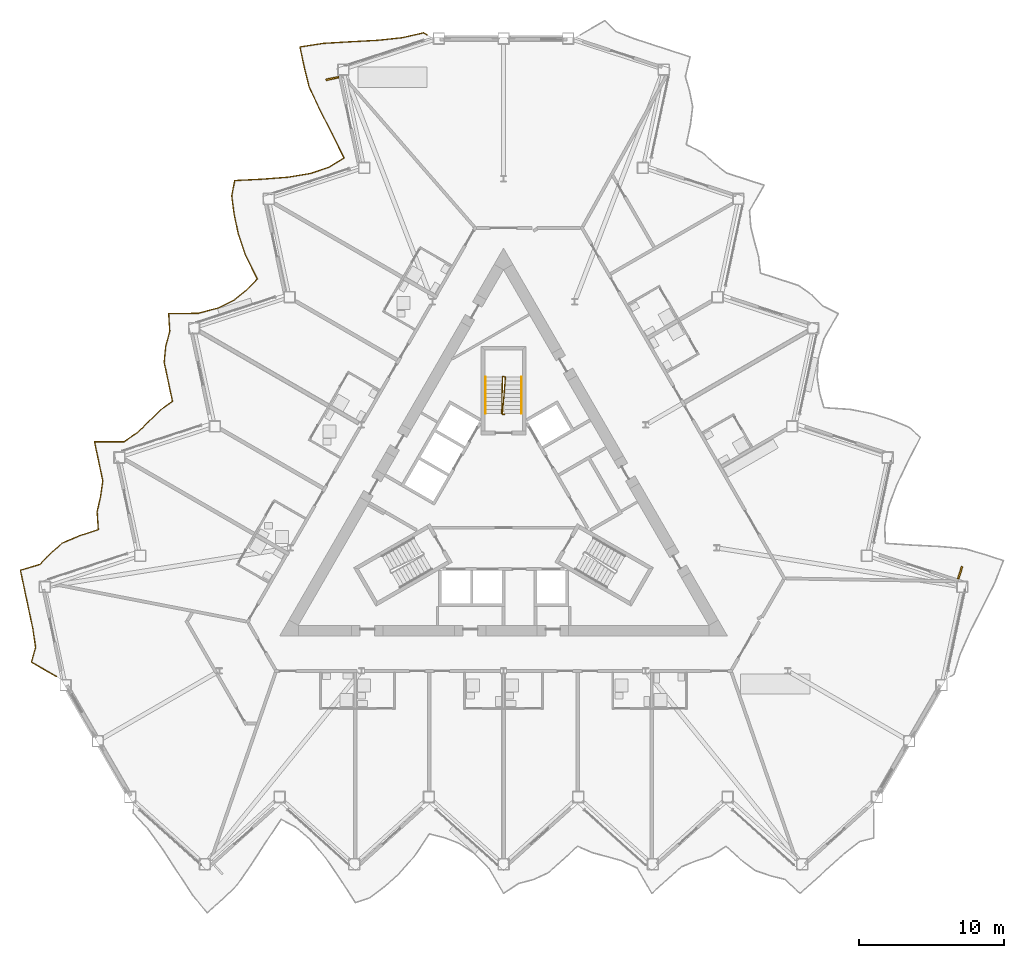
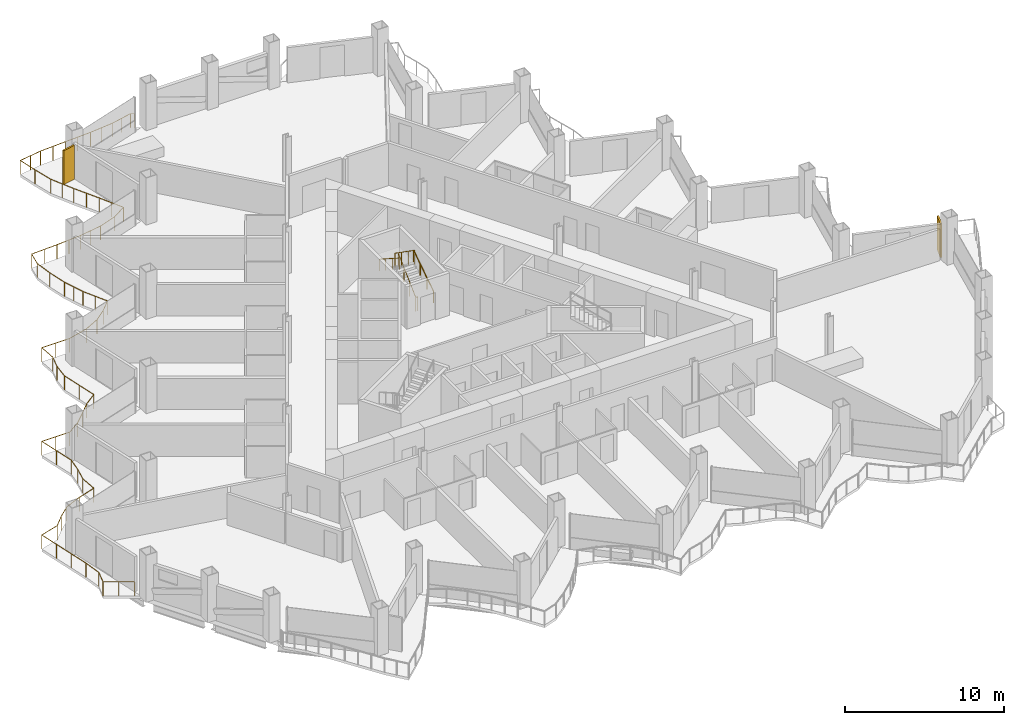
# One storey, part 20 of 23: 4 railings, 2 shading devices.
"""IFC4 building model written with IfcOpenShell, lengths in metres."""

from ifc_helpers import new_model, si_unit, direction, frame, origin, origin_2d, place, context, subcontext, project, spatial, rectangle, circle, extrude, material, layer, layer_set, type_object, element, save


model = new_model("IFC4")

# Units and contexts
model_context = context("Model", 3, precision=1e-05, world=origin(), true_north=direction((0.0, 1.0)))
body_context = subcontext(model_context, "Body", "Model", "MODEL_VIEW")
ifc_project = project(units=[si_unit("LENGTHUNIT", "METRE"), si_unit("AREAUNIT", "SQUARE_METRE"), si_unit("VOLUMEUNIT", "CUBIC_METRE"), si_unit("PLANEANGLEUNIT", "RADIAN"), si_unit("MASSUNIT", "GRAM", prefix="KILO")], contexts=[model_context])

# Site, building, storey
site_placement = place(None, origin())
site = spatial("IfcSite", under=ifc_project, at=site_placement, CompositionType="ELEMENT")
building_placement = place(site_placement, origin())
building = spatial("IfcBuilding", under=site, at=building_placement, Name="Cormorant Prow Tower", CompositionType="ELEMENT")
storey_placement = place(building_placement, frame((0.0, 0.0, 180.0)))
storey = spatial("IfcBuildingStorey", under=building, at=storey_placement, Name="L38", CompositionType="ELEMENT", Elevation=180.0)

# Railings
ifc_material_1 = material(Name="Aluminium 6063-T6", Category="aluminium")
railing_type_1 = type_object("IfcRailingType", Name="Balcony guard 1100", PredefinedType="GUARDRAIL", material=ifc_material_1)
railing_1_placement = place(storey_placement, frame((-5.30078125, 32.661865234375, 0.0)))
element("IfcRailing", 1, at=railing_1_placement, inside=storey, type_object=railing_type_1, Name="Balcony guard WNW", PredefinedType="GUARDRAIL", context=body_context, shape_type="SweptSolid", body=[
    extrude(circle(Radius=0.02392578125, at=origin_2d()), frame((0.0, 0.0, 1.076171875), z_axis=(-0.866065156741, 0.499931139538, 0.0), x_axis=(-0.499931139538, -0.866065156741, 0.0)), (0.0, 0.0, 1.0), 0.27001953125),
    extrude(circle(Radius=0.02392578125, at=origin_2d()), frame((-0.23388671875, 0.135009765625, 1.076171875), z_axis=(-0.974644719634, -0.223758062401, 0.0), x_axis=(0.223758062401, -0.974644719634, 0.0)), (0.0, 0.0, 1.0), 1.505615234375),
    extrude(circle(Radius=0.02392578125, at=origin_2d()), frame((-1.701416015625, -0.201904296875, 1.076171875), z_axis=(-0.994449269321, -0.105217159941, 0.0), x_axis=(0.105217159941, -0.994449269321, 0.0)), (0.0, 0.0, 1.0), 1.74267578125),
    extrude(circle(Radius=0.02392578125, at=origin_2d()), frame((-3.434326171875, -0.38525390625, 1.076171875), z_axis=(-0.99859695624, -0.052953932694, 0.0), x_axis=(0.052953932694, -0.99859695624, 0.0)), (0.0, 0.0, 1.0), 1.881103515625),
    extrude(circle(Radius=0.02392578125, at=origin_2d()), frame((-5.312744140625, -0.48486328125, 1.076171875), z_axis=(-0.998270307196, -0.058791102824, 0.0), x_axis=(0.058791102824, -0.998270307196, 0.0)), (0.0, 0.0, 1.0), 1.864501953125),
    extrude(circle(Radius=0.02392578125, at=origin_2d()), frame((-7.174072265625, -0.594482421875, 1.076171875), z_axis=(-0.98797780266, -0.154595800235, 0.0), x_axis=(0.154595800235, -0.98797780266, 0.0)), (0.0, 0.0, 1.0), 1.6328125),
    extrude(circle(Radius=0.02392578125, at=origin_2d()), frame((-8.787353515625, -0.846923828125, 1.076171875), z_axis=(0.207873566928, -0.97815570344, 0.0), x_axis=(0.97815570344, 0.207873566928, 0.0)), (0.0, 0.0, 1.0), 1.3798828125),
    extrude(circle(Radius=0.02392578125, at=origin_2d()), frame((-8.50048828125, -2.19677734375, 1.076171875), z_axis=(0.23657564466, -0.971613073375, 0.0), x_axis=(0.971613073375, 0.23657564466, 0.0)), (0.0, 0.0, 1.0), 1.41796875),
    extrude(circle(Radius=0.02392578125, at=origin_2d()), frame((-8.1650390625, -3.574462890625, 1.076171875), z_axis=(0.420257343477, -0.907404962106, 0.0), x_axis=(0.907404962106, 0.420257343477, 0.0)), (0.0, 0.0, 1.0), 1.78125),
    extrude(circle(Radius=0.02392578125, at=origin_2d()), frame((-7.41650390625, -5.190673828125, 1.076171875), z_axis=(0.456536814746, -0.889704522177, 0.0), x_axis=(0.889704522177, 0.456536814746, 0.0)), (0.0, 0.0, 1.0), 1.890869140625),
    extrude(circle(Radius=0.02392578125, at=origin_2d()), frame((-6.55322265625, -6.873046875, 1.076171875), z_axis=(0.440945101429, -0.897534075969, 0.0), x_axis=(0.897534075969, 0.440945101429, 0.0)), (0.0, 0.0, 1.0), 1.841552734375),
    extrude(circle(Radius=0.02392578125, at=origin_2d()), frame((-5.7412109375, -8.52587890625, 1.076171875), z_axis=(-0.849445527485, -0.527676317296, 0.0), x_axis=(0.527676317296, -0.849445527485, 0.0)), (0.0, 0.0, 1.0), 1.1630859375),
    extrude(circle(Radius=0.02392578125, at=origin_2d()), frame((-6.729248046875, -9.1396484375, 1.076171875), z_axis=(-0.945060911666, -0.326894284504, 0.0), x_axis=(0.326894284504, -0.945060911666, 0.0)), (0.0, 0.0, 1.0), 1.35693359375),
    extrude(circle(Radius=0.02392578125, at=origin_2d()), frame((-8.01171875, -9.583251953125, 1.076171875), z_axis=(-0.985922013231, -0.16720581278, 0.0), x_axis=(0.16720581278, -0.985922013231, 0.0)), (0.0, 0.0, 1.0), 1.607666015625),
    extrude(circle(Radius=0.02392578125, at=origin_2d()), frame((-9.5966796875, -9.85205078125, 1.076171875), z_axis=(-0.997045774989, -0.076809651581, 0.0), x_axis=(0.076809651581, -0.997045774989, 0.0)), (0.0, 0.0, 1.0), 1.81494140625),
    extrude(circle(Radius=0.02392578125, at=origin_2d()), frame((-11.40625, -9.991455078125, 1.076171875), z_axis=(-0.998824863504, -0.048465369554, 0.0), x_axis=(0.048465369554, -0.998824863504, 0.0)), (0.0, 0.0, 1.0), 1.89404296875),
    extrude(circle(Radius=0.02392578125, at=origin_2d()), frame((-13.298095703125, -10.083251953125, 1.076171875), z_axis=(-0.19234641595, -0.981327089339, 0.0), x_axis=(0.981327089339, -0.19234641595, 0.0)), (0.0, 0.0, 1.0), 1.083984375),
    extrude(circle(Radius=0.02392578125, at=origin_2d()), frame((-13.506591796875, -11.14697265625, 1.076171875), z_axis=(0.12845755255, -0.991715008051, 0.0), x_axis=(0.991715008051, 0.12845755255, 0.0)), (0.0, 0.0, 1.0), 1.29052734375),
    extrude(circle(Radius=0.02392578125, at=origin_2d()), frame((-13.3408203125, -12.4267578125, 1.076171875), z_axis=(0.208078831639, -0.97811205893, 0.0), x_axis=(0.97811205893, 0.208078831639, 0.0)), (0.0, 0.0, 1.0), 1.3798828125),
    extrude(circle(Radius=0.02392578125, at=origin_2d()), frame((-13.0537109375, -13.7763671875, 1.076171875), z_axis=(0.320795668286, -0.947148425121, 0.0), x_axis=(0.947148425121, 0.320795668286, 0.0)), (0.0, 0.0, 1.0), 1.553955078125),
    extrude(circle(Radius=0.02392578125, at=origin_2d()), frame((-12.55517578125, -15.248291015625, 1.076171875), z_axis=(0.44142979612, -0.897295790193, 0.0), x_axis=(0.897295790193, 0.44142979612, 0.0)), (0.0, 0.0, 1.0), 1.84326171875),
    extrude(circle(Radius=0.02392578125, at=origin_2d()), frame((-11.741455078125, -16.90234375, 1.076171875), z_axis=(-0.696524325423, -0.717533179786, 0.0), x_axis=(0.717533179786, -0.696524325423, 0.0)), (0.0, 0.0, 1.0), 1.0576171875),
    extrude(circle(Radius=0.02392578125, at=origin_2d()), frame((-12.47802734375, -17.6611328125, 1.076171875), z_axis=(-0.776576356837, -0.630023144021, 0.0), x_axis=(0.630023144021, -0.776576356837, 0.0)), (0.0, 0.0, 1.0), 1.097900390625),
    extrude(circle(Radius=0.02392578125, at=origin_2d()), frame((-13.33056640625, -18.352783203125, 1.076171875), z_axis=(-0.89486357373, -0.446339763422, 0.0), x_axis=(0.446339763422, -0.89486357373, 0.0)), (0.0, 0.0, 1.0), 1.229736328125),
    extrude(circle(Radius=0.02392578125, at=origin_2d()), frame((-14.430908203125, -18.901611328125, 1.076171875), z_axis=(-0.967091903603, -0.254427298036, 0.0), x_axis=(0.254427298036, -0.967091903603, 0.0)), (0.0, 0.0, 1.0), 1.45654296875),
    extrude(circle(Radius=0.02392578125, at=origin_2d()), frame((-15.839599609375, -19.272216796875, 1.076171875), z_axis=(-0.999986664005, -0.005164475925, 0.0), x_axis=(0.005164475925, -0.999986664005, 0.0)), (0.0, 0.0, 1.0), 2.03271484375),
    extrude(circle(Radius=0.02392578125, at=origin_2d()), frame((-17.872314453125, -19.28271484375, 1.076171875), z_axis=(0.064560408619, -0.997913800706, 0.0), x_axis=(0.997913800706, 0.064560408619, 0.0)), (0.0, 0.0, 1.0), 1.23291015625),
    extrude(circle(Radius=0.02392578125, at=origin_2d()), frame((-17.792724609375, -20.512939453125, 1.076171875), z_axis=(-0.262201785717, -0.965013069117, 0.0), x_axis=(0.965013069117, -0.262201785717, 0.0)), (0.0, 0.0, 1.0), 1.060546875),
    extrude(circle(Radius=0.02392578125, at=origin_2d()), frame((-18.07080078125, -21.536376953125, 1.076171875), z_axis=(-0.097786178381, -0.995207447379, 0.0), x_axis=(0.995207447379, -0.097786178381, 0.0)), (0.0, 0.0, 1.0), 1.1259765625),
    extrude(circle(Radius=0.02392578125, at=origin_2d()), frame((-18.180908203125, -22.656982421875, 1.076171875), z_axis=(0.207909545351, -0.978148056764, 0.0), x_axis=(0.978148056764, 0.207909545351, 0.0)), (0.0, 0.0, 1.0), 1.379638671875),
    extrude(circle(Radius=0.02392578125, at=origin_2d()), frame((-17.89404296875, -24.006591796875, 1.076171875), z_axis=(0.207909545351, -0.978148056764, 0.0), x_axis=(0.978148056764, 0.207909545351, 0.0)), (0.0, 0.0, 1.0), 1.379638671875),
    extrude(circle(Radius=0.02392578125, at=origin_2d()), frame((-17.607177734375, -25.356201171875, 1.076171875), z_axis=(-0.80659197974, -0.591108601036, 0.0), x_axis=(0.591108601036, -0.80659197974, 0.0)), (0.0, 0.0, 1.0), 1.12060546875),
    extrude(circle(Radius=0.02392578125, at=origin_2d()), frame((-18.510986328125, -26.0185546875, 1.076171875), z_axis=(-0.703411981113, -0.710782375152, 0.0), x_axis=(0.710782375152, -0.703411981113, 0.0)), (0.0, 0.0, 1.0), 1.06005859375),
    extrude(circle(Radius=0.02392578125, at=origin_2d()), frame((-19.256591796875, -26.77197265625, 1.076171875), z_axis=(-0.71733824833, -0.696725080274, 0.0), x_axis=(0.696725080274, -0.71733824833, 0.0)), (0.0, 0.0, 1.0), 1.06591796875),
    extrude(circle(Radius=0.02392578125, at=origin_2d()), frame((-20.021240234375, -27.5146484375, 1.076171875), z_axis=(-0.826195568919, -0.563383423521, 0.0), x_axis=(0.563383423521, -0.826195568919, 0.0)), (0.0, 0.0, 1.0), 1.137939453125),
    extrude(circle(Radius=0.02392578125, at=origin_2d()), frame((-20.96142578125, -28.15576171875, 1.076171875), z_axis=(-0.999993542812, -0.003593651927, 0.0), x_axis=(0.003593651927, -0.999993542812, 0.0)), (0.0, 0.0, 1.0), 2.0380859375),
    extrude(circle(Radius=0.02392578125, at=origin_2d()), frame((-22.99951171875, -28.1630859375, 1.076171875), z_axis=(0.207873566928, -0.97815570344, 0.0), x_axis=(0.97815570344, 0.207873566928, 0.0)), (0.0, 0.0, 1.0), 1.3798828125),
    extrude(circle(Radius=0.02392578125, at=origin_2d()), frame((-22.712646484375, -29.512939453125, 1.076171875), z_axis=(0.207909545351, -0.978148056764, 0.0), x_axis=(0.978148056764, 0.207909545351, 0.0)), (0.0, 0.0, 1.0), 1.379638671875),
    extrude(circle(Radius=0.02392578125, at=origin_2d()), frame((-22.42578125, -30.862548828125, 1.076171875), z_axis=(-0.141637897533, -0.989918535023, 0.0), x_axis=(0.989918535023, -0.141637897533, 0.0)), (0.0, 0.0, 1.0), 1.10498046875),
    extrude(circle(Radius=0.02392578125, at=origin_2d()), frame((-22.582275390625, -31.956298828125, 1.076171875), z_axis=(-0.220805245859, -0.975317919143, 0.0), x_axis=(0.975317919143, -0.220805245859, 0.0)), (0.0, 0.0, 1.0), 1.07373046875),
    extrude(circle(Radius=0.02392578125, at=origin_2d()), frame((-22.8193359375, -33.00341796875, 1.076171875), z_axis=(0.068734306145, -0.997635000969, 0.0), x_axis=(0.997635000969, 0.068734306145, 0.0)), (0.0, 0.0, 1.0), 1.236083984375),
    extrude(circle(Radius=0.02392578125, at=origin_2d()), frame((-22.734375, -34.236572265625, 1.076171875), z_axis=(-0.951027567221, -0.309106076267, 0.0), x_axis=(0.309106076267, -0.951027567221, 0.0)), (0.0, 0.0, 1.0), 1.3798828125),
    extrude(circle(Radius=0.02392578125, at=origin_2d()), frame((-24.046630859375, -34.6630859375, 1.076171875), z_axis=(-0.920623197866, -0.390452209048, 0.0), x_axis=(0.390452209048, -0.920623197866, 0.0)), (0.0, 0.0, 1.0), 1.284423828125),
    extrude(circle(Radius=0.02392578125, at=origin_2d()), frame((-25.22900390625, -35.16455078125, 1.076171875), z_axis=(-0.751192006411, -0.660083759461, 0.0), x_axis=(0.660083759461, -0.751192006411, 0.0)), (0.0, 0.0, 1.0), 1.08251953125),
    extrude(circle(Radius=0.02392578125, at=origin_2d()), frame((-26.042236328125, -35.879150390625, 1.076171875), z_axis=(-0.693690548445, -0.720273158599, 0.0), x_axis=(0.720273158599, -0.693690548445, 0.0)), (0.0, 0.0, 1.0), 1.05615234375),
    extrude(circle(Radius=0.02392578125, at=origin_2d()), frame((-26.77490234375, -36.639892578125, 1.076171875), z_axis=(-0.958163778931, -0.286220496722, 0.0), x_axis=(0.286220496722, -0.958163778931, 0.0)), (0.0, 0.0, 1.0), 1.410888671875),
    extrude(circle(Radius=0.02392578125, at=origin_2d()), frame((-28.126708984375, -37.043701171875, 1.076171875), z_axis=(0.207909545351, -0.978148056764, 0.0), x_axis=(0.978148056764, 0.207909545351, 0.0)), (0.0, 0.0, 1.0), 1.379638671875),
    extrude(circle(Radius=0.02392578125, at=origin_2d()), frame((-27.83984375, -38.393310546875, 1.076171875), z_axis=(0.207909545351, -0.978148056764, 0.0), x_axis=(0.978148056764, 0.207909545351, 0.0)), (0.0, 0.0, 1.0), 1.379638671875),
    extrude(circle(Radius=0.02392578125, at=origin_2d()), frame((-27.552978515625, -39.742919921875, 1.076171875), z_axis=(0.207873566928, -0.97815570344, 0.0), x_axis=(0.97815570344, 0.207873566928, 0.0)), (0.0, 0.0, 1.0), 1.3798828125),
    extrude(circle(Radius=0.02392578125, at=origin_2d()), frame((-27.26611328125, -41.0927734375, 1.076171875), z_axis=(0.146278178224, -0.9892434961, 0.0), x_axis=(0.9892434961, 0.146278178224, 0.0)), (0.0, 0.0, 1.0), 1.30859375),
    extrude(circle(Radius=0.02392578125, at=origin_2d()), frame((-27.07470703125, -42.38720703125, 1.076171875), z_axis=(-0.272830477593, -0.962062124032, 0.0), x_axis=(0.962062124032, -0.272830477593, 0.0)), (0.0, 0.0, 1.0), 1.0576171875),
    extrude(circle(Radius=0.02392578125, at=origin_2d()), frame((-27.36328125, -43.40478515625, 1.076171875), z_axis=(0.866042919053, -0.499969661438, 0.0), x_axis=(0.499969661438, 0.866042919053, 0.0)), (0.0, 0.0, 1.0), 1.99462890625),
    extrude(circle(Radius=0.02099609375, at=origin_2d()), origin(), (0.0, 0.0, 1.0), 1.052001953125),
    extrude(circle(Radius=0.02099609375, at=origin_2d()), frame((-0.23388671875, 0.135009765625, 0.0)), (0.0, 0.0, 1.0), 1.052001953125),
    extrude(circle(Radius=0.02099609375, at=origin_2d()), frame((-0.9677734375, -0.033447265625, 0.0)), (0.0, 0.0, 1.0), 1.052001953125),
    extrude(circle(Radius=0.02099609375, at=origin_2d()), frame((-1.701416015625, -0.201904296875, 0.0)), (0.0, 0.0, 1.0), 1.052001953125),
    extrude(circle(Radius=0.02099609375, at=origin_2d()), frame((-2.56787109375, -0.29345703125, 0.0)), (0.0, 0.0, 1.0), 1.052001953125),
    extrude(circle(Radius=0.02099609375, at=origin_2d()), frame((-3.434326171875, -0.38525390625, 0.0)), (0.0, 0.0, 1.0), 1.052001953125),
    extrude(circle(Radius=0.02099609375, at=origin_2d()), frame((-4.37353515625, -0.43505859375, 0.0)), (0.0, 0.0, 1.0), 1.052001953125),
    extrude(circle(Radius=0.02099609375, at=origin_2d()), frame((-5.312744140625, -0.48486328125, 0.0)), (0.0, 0.0, 1.0), 1.052001953125),
    extrude(circle(Radius=0.02099609375, at=origin_2d()), frame((-6.243408203125, -0.53955078125, 0.0)), (0.0, 0.0, 1.0), 1.052001953125),
    extrude(circle(Radius=0.02099609375, at=origin_2d()), frame((-7.174072265625, -0.594482421875, 0.0)), (0.0, 0.0, 1.0), 1.052001953125),
    extrude(circle(Radius=0.02099609375, at=origin_2d()), frame((-7.980712890625, -0.720703125, 0.0)), (0.0, 0.0, 1.0), 1.052001953125),
    extrude(circle(Radius=0.02099609375, at=origin_2d()), frame((-8.787353515625, -0.846923828125, 0.0)), (0.0, 0.0, 1.0), 1.052001953125),
    extrude(circle(Radius=0.02099609375, at=origin_2d()), frame((-8.50048828125, -2.19677734375, 0.0)), (0.0, 0.0, 1.0), 1.052001953125),
    extrude(circle(Radius=0.02099609375, at=origin_2d()), frame((-8.1650390625, -3.574462890625, 0.0)), (0.0, 0.0, 1.0), 1.052001953125),
    extrude(circle(Radius=0.02099609375, at=origin_2d()), frame((-7.790771484375, -4.382568359375, 0.0)), (0.0, 0.0, 1.0), 1.052001953125),
    extrude(circle(Radius=0.02099609375, at=origin_2d()), frame((-7.41650390625, -5.190673828125, 0.0)), (0.0, 0.0, 1.0), 1.052001953125),
    extrude(circle(Radius=0.02099609375, at=origin_2d()), frame((-6.98486328125, -6.03173828125, 0.0)), (0.0, 0.0, 1.0), 1.052001953125),
    extrude(circle(Radius=0.02099609375, at=origin_2d()), frame((-6.55322265625, -6.873046875, 0.0)), (0.0, 0.0, 1.0), 1.052001953125),
    extrude(circle(Radius=0.02099609375, at=origin_2d()), frame((-6.147216796875, -7.699462890625, 0.0)), (0.0, 0.0, 1.0), 1.052001953125),
    extrude(circle(Radius=0.02099609375, at=origin_2d()), frame((-5.7412109375, -8.52587890625, 0.0)), (0.0, 0.0, 1.0), 1.052001953125),
    extrude(circle(Radius=0.02099609375, at=origin_2d()), frame((-6.729248046875, -9.1396484375, 0.0)), (0.0, 0.0, 1.0), 1.052001953125),
    extrude(circle(Radius=0.02099609375, at=origin_2d()), frame((-8.01171875, -9.583251953125, 0.0)), (0.0, 0.0, 1.0), 1.052001953125),
    extrude(circle(Radius=0.02099609375, at=origin_2d()), frame((-8.80419921875, -9.7177734375, 0.0)), (0.0, 0.0, 1.0), 1.052001953125),
    extrude(circle(Radius=0.02099609375, at=origin_2d()), frame((-9.5966796875, -9.85205078125, 0.0)), (0.0, 0.0, 1.0), 1.052001953125),
    extrude(circle(Radius=0.02099609375, at=origin_2d()), frame((-10.50146484375, -9.921875, 0.0)), (0.0, 0.0, 1.0), 1.052001953125),
    extrude(circle(Radius=0.02099609375, at=origin_2d()), frame((-11.40625, -9.991455078125, 0.0)), (0.0, 0.0, 1.0), 1.052001953125),
    extrude(circle(Radius=0.02099609375, at=origin_2d()), frame((-12.35205078125, -10.037353515625, 0.0)), (0.0, 0.0, 1.0), 1.052001953125),
    extrude(circle(Radius=0.02099609375, at=origin_2d()), frame((-13.298095703125, -10.083251953125, 0.0)), (0.0, 0.0, 1.0), 1.052001953125),
    extrude(circle(Radius=0.02099609375, at=origin_2d()), frame((-13.506591796875, -11.14697265625, 0.0)), (0.0, 0.0, 1.0), 1.052001953125),
    extrude(circle(Radius=0.02099609375, at=origin_2d()), frame((-13.3408203125, -12.4267578125, 0.0)), (0.0, 0.0, 1.0), 1.052001953125),
    extrude(circle(Radius=0.02099609375, at=origin_2d()), frame((-13.0537109375, -13.7763671875, 0.0)), (0.0, 0.0, 1.0), 1.052001953125),
    extrude(circle(Radius=0.02099609375, at=origin_2d()), frame((-12.804443359375, -14.51220703125, 0.0)), (0.0, 0.0, 1.0), 1.052001953125),
    extrude(circle(Radius=0.02099609375, at=origin_2d()), frame((-12.55517578125, -15.248291015625, 0.0)), (0.0, 0.0, 1.0), 1.052001953125),
    extrude(circle(Radius=0.02099609375, at=origin_2d()), frame((-12.1484375, -16.0751953125, 0.0)), (0.0, 0.0, 1.0), 1.052001953125),
    extrude(circle(Radius=0.02099609375, at=origin_2d()), frame((-11.741455078125, -16.90234375, 0.0)), (0.0, 0.0, 1.0), 1.052001953125),
    extrude(circle(Radius=0.02099609375, at=origin_2d()), frame((-12.47802734375, -17.6611328125, 0.0)), (0.0, 0.0, 1.0), 1.052001953125),
    extrude(circle(Radius=0.02099609375, at=origin_2d()), frame((-13.33056640625, -18.352783203125, 0.0)), (0.0, 0.0, 1.0), 1.052001953125),
    extrude(circle(Radius=0.02099609375, at=origin_2d()), frame((-14.430908203125, -18.901611328125, 0.0)), (0.0, 0.0, 1.0), 1.052001953125),
    extrude(circle(Radius=0.02099609375, at=origin_2d()), frame((-15.839599609375, -19.272216796875, 0.0)), (0.0, 0.0, 1.0), 1.052001953125),
    extrude(circle(Radius=0.02099609375, at=origin_2d()), frame((-16.85595703125, -19.27734375, 0.0)), (0.0, 0.0, 1.0), 1.052001953125),
    extrude(circle(Radius=0.02099609375, at=origin_2d()), frame((-17.872314453125, -19.28271484375, 0.0)), (0.0, 0.0, 1.0), 1.052001953125),
    extrude(circle(Radius=0.02099609375, at=origin_2d()), frame((-17.792724609375, -20.512939453125, 0.0)), (0.0, 0.0, 1.0), 1.052001953125),
    extrude(circle(Radius=0.02099609375, at=origin_2d()), frame((-18.07080078125, -21.536376953125, 0.0)), (0.0, 0.0, 1.0), 1.052001953125),
    extrude(circle(Radius=0.02099609375, at=origin_2d()), frame((-18.180908203125, -22.656982421875, 0.0)), (0.0, 0.0, 1.0), 1.052001953125),
    extrude(circle(Radius=0.02099609375, at=origin_2d()), frame((-17.89404296875, -24.006591796875, 0.0)), (0.0, 0.0, 1.0), 1.052001953125),
    extrude(circle(Radius=0.02099609375, at=origin_2d()), frame((-17.607177734375, -25.356201171875, 0.0)), (0.0, 0.0, 1.0), 1.052001953125),
    extrude(circle(Radius=0.02099609375, at=origin_2d()), frame((-18.510986328125, -26.0185546875, 0.0)), (0.0, 0.0, 1.0), 1.052001953125),
    extrude(circle(Radius=0.02099609375, at=origin_2d()), frame((-19.256591796875, -26.77197265625, 0.0)), (0.0, 0.0, 1.0), 1.052001953125),
    extrude(circle(Radius=0.02099609375, at=origin_2d()), frame((-20.021240234375, -27.5146484375, 0.0)), (0.0, 0.0, 1.0), 1.052001953125),
    extrude(circle(Radius=0.02099609375, at=origin_2d()), frame((-20.96142578125, -28.15576171875, 0.0)), (0.0, 0.0, 1.0), 1.052001953125),
    extrude(circle(Radius=0.02099609375, at=origin_2d()), frame((-21.98046875, -28.159423828125, 0.0)), (0.0, 0.0, 1.0), 1.052001953125),
    extrude(circle(Radius=0.02099609375, at=origin_2d()), frame((-22.99951171875, -28.1630859375, 0.0)), (0.0, 0.0, 1.0), 1.052001953125),
    extrude(circle(Radius=0.02099609375, at=origin_2d()), frame((-22.712646484375, -29.512939453125, 0.0)), (0.0, 0.0, 1.0), 1.052001953125),
    extrude(circle(Radius=0.02099609375, at=origin_2d()), frame((-22.42578125, -30.862548828125, 0.0)), (0.0, 0.0, 1.0), 1.052001953125),
    extrude(circle(Radius=0.02099609375, at=origin_2d()), frame((-22.582275390625, -31.956298828125, 0.0)), (0.0, 0.0, 1.0), 1.052001953125),
    extrude(circle(Radius=0.02099609375, at=origin_2d()), frame((-22.8193359375, -33.00341796875, 0.0)), (0.0, 0.0, 1.0), 1.052001953125),
    extrude(circle(Radius=0.02099609375, at=origin_2d()), frame((-22.734375, -34.236572265625, 0.0)), (0.0, 0.0, 1.0), 1.052001953125),
    extrude(circle(Radius=0.02099609375, at=origin_2d()), frame((-24.046630859375, -34.6630859375, 0.0)), (0.0, 0.0, 1.0), 1.052001953125),
    extrude(circle(Radius=0.02099609375, at=origin_2d()), frame((-25.22900390625, -35.16455078125, 0.0)), (0.0, 0.0, 1.0), 1.052001953125),
    extrude(circle(Radius=0.02099609375, at=origin_2d()), frame((-26.042236328125, -35.879150390625, 0.0)), (0.0, 0.0, 1.0), 1.052001953125),
    extrude(circle(Radius=0.02099609375, at=origin_2d()), frame((-26.77490234375, -36.639892578125, 0.0)), (0.0, 0.0, 1.0), 1.052001953125),
    extrude(circle(Radius=0.02099609375, at=origin_2d()), frame((-28.126708984375, -37.043701171875, 0.0)), (0.0, 0.0, 1.0), 1.052001953125),
    extrude(circle(Radius=0.02099609375, at=origin_2d()), frame((-27.83984375, -38.393310546875, 0.0)), (0.0, 0.0, 1.0), 1.052001953125),
    extrude(circle(Radius=0.02099609375, at=origin_2d()), frame((-27.552978515625, -39.742919921875, 0.0)), (0.0, 0.0, 1.0), 1.052001953125),
    extrude(circle(Radius=0.02099609375, at=origin_2d()), frame((-27.26611328125, -41.0927734375, 0.0)), (0.0, 0.0, 1.0), 1.052001953125),
    extrude(circle(Radius=0.02099609375, at=origin_2d()), frame((-27.07470703125, -42.38720703125, 0.0)), (0.0, 0.0, 1.0), 1.052001953125),
    extrude(circle(Radius=0.02099609375, at=origin_2d()), frame((-27.36328125, -43.40478515625, 0.0)), (0.0, 0.0, 1.0), 1.052001953125),
    extrude(circle(Radius=0.02099609375, at=origin_2d()), frame((-26.49951171875, -43.9033203125, 0.0)), (0.0, 0.0, 1.0), 1.052001953125),
    extrude(circle(Radius=0.02099609375, at=origin_2d()), frame((-25.6357421875, -44.402099609375, 0.0)), (0.0, 0.0, 1.0), 1.052001953125),
])
ifc_material_2 = material(Name="Stainless steel", Category="steel")
railing_type_2 = type_object("IfcRailingType", Name="Stair guard 1100", PredefinedType="GUARDRAIL", material=ifc_material_2)
railing_2_placement = place(storey_placement, frame((0.074951171875, 6.40576171875, 0.0)))
element("IfcRailing", 2, at=railing_2_placement, inside=storey, type_object=railing_type_2, Name="L38 ST3 stair guard 1", PredefinedType="GUARDRAIL", context=body_context, shape_type="SweptSolid", body=[
    extrude(circle(Radius=0.02392578125, at=origin_2d()), frame((0.0, 0.0, 1.076171875), z_axis=(-1.0, 0.0, 0.0), x_axis=(0.0, -1.0, 0.0)), (0.0, 0.0, 1.0), 0.14990234375),
    extrude(circle(Radius=0.02392578125, at=origin_2d()), frame((-0.14990234375, 0.0, 1.076171875), z_axis=(0.063595540489, 0.817423998443, 0.572515164864), x_axis=(-0.996987254287, 0.077565551559, 0.0)), (0.0, 0.0, 1.0), 3.14404296875),
    extrude(circle(Radius=0.02392578125, at=origin_2d()), frame((0.050048828125, 2.570068359375, 2.8759765625), z_axis=(-0.970072785993, 0.242814311512, 0.0), x_axis=(-0.242814311512, -0.970072785993, 0.0)), (0.0, 0.0, 1.0), 0.2060546875),
    extrude(circle(Radius=0.02392578125, at=origin_2d()), frame((-0.14990234375, 2.6201171875, 2.8759765625), z_axis=(-0.01594855688, -0.818977845239, 0.573603462805), x_axis=(0.999810440751, -0.019470042781, 0.0)), (0.0, 0.0, 1.0), 3.13818359375),
    extrude(circle(Radius=0.02099609375, at=origin_2d()), origin(), (0.0, 0.0, 1.0), 1.052001953125),
    extrude(circle(Radius=0.02099609375, at=origin_2d()), frame((-0.14990234375, 0.0, 0.0)), (0.0, 0.0, 1.0), 1.052001953125),
    extrude(circle(Radius=0.02099609375, at=origin_2d()), frame((-0.083251953125, 0.856689453125, 0.60009765625)), (0.0, 0.0, 1.0), 1.052001953125),
    extrude(circle(Radius=0.02099609375, at=origin_2d()), frame((-0.0166015625, 1.71337890625, 1.199951171875)), (0.0, 0.0, 1.0), 1.052001953125),
    extrude(circle(Radius=0.02099609375, at=origin_2d()), frame((0.050048828125, 2.570068359375, 1.800048828125)), (0.0, 0.0, 1.0), 1.052001953125),
    extrude(circle(Radius=0.02099609375, at=origin_2d()), frame((-0.14990234375, 2.6201171875, 1.800048828125)), (0.0, 0.0, 1.0), 1.052001953125),
    extrude(circle(Radius=0.02099609375, at=origin_2d()), frame((-0.16650390625, 1.763427734375, 2.400146484375)), (0.0, 0.0, 1.0), 1.052001953125),
    extrude(circle(Radius=0.02099609375, at=origin_2d()), frame((-0.183349609375, 0.90673828125, 3.0)), (0.0, 0.0, 1.0), 1.052001953125),
    extrude(circle(Radius=0.02099609375, at=origin_2d()), frame((-0.199951171875, 0.050048828125, 3.60009765625)), (0.0, 0.0, 1.0), 1.052001953125),
])
ifc_material_3 = material(Name="Stainless steel", Category="steel")
railing_type_3 = type_object("IfcRailingType", Name="Stair handrail 900", PredefinedType="HANDRAIL", material=ifc_material_3)
railing_3_placement = place(storey_placement, frame((1.243896484375, 6.455810546875, 0.179931640625)))
element("IfcRailing", 3, at=railing_3_placement, inside=storey, type_object=railing_type_3, Name="L38 ST3 stair handrail 1", PredefinedType="HANDRAIL", context=body_context, shape_type="SweptSolid", body=[
    extrude(circle(Radius=0.02392578125, at=origin_2d()), frame((0.0, 0.0, 0.8759765625), z_axis=(0.0, 0.841162588446, 0.540782303519), x_axis=(-1.0, 0.0, 0.0)), (0.0, 0.0, 1.0), 2.995849609375),
    extrude(circle(Radius=0.02099609375, at=origin_2d()), origin(), (0.0, 0.0, 1.0), 0.851806640625),
    extrude(circle(Radius=0.02099609375, at=origin_2d()), frame((0.0, 0.840087890625, 0.5400390625)), (0.0, 0.0, 1.0), 0.851806640625),
    extrude(circle(Radius=0.02099609375, at=origin_2d()), frame((0.0, 1.679931640625, 1.080078125)), (0.0, 0.0, 1.0), 0.851806640625),
    extrude(circle(Radius=0.02099609375, at=origin_2d()), frame((0.0, 2.52001953125, 1.6201171875)), (0.0, 0.0, 1.0), 0.851806640625),
])
railing_4_placement = place(storey_placement, frame((-1.243896484375, 8.975830078125, 1.97998046875)))
element("IfcRailing", 4, at=railing_4_placement, inside=storey, type_object=railing_type_3, Name="L38 ST3 stair handrail 2", PredefinedType="HANDRAIL", context=body_context, shape_type="SweptSolid", body=[
    extrude(circle(Radius=0.02392578125, at=origin_2d()), frame((0.0, 0.0, 0.8759765625), z_axis=(0.0, -0.841162588446, 0.540782303519), x_axis=(1.0, 0.0, 0.0)), (0.0, 0.0, 1.0), 2.995849609375),
    extrude(circle(Radius=0.02099609375, at=origin_2d()), origin(), (0.0, 0.0, 1.0), 0.851806640625),
    extrude(circle(Radius=0.02099609375, at=origin_2d()), frame((0.0, -0.840087890625, 0.5400390625)), (0.0, 0.0, 1.0), 0.851806640625),
    extrude(circle(Radius=0.02099609375, at=origin_2d()), frame((0.0, -1.679931640625, 1.080078125)), (0.0, 0.0, 1.0), 0.851806640625),
    extrude(circle(Radius=0.02099609375, at=origin_2d()), frame((0.0, -2.52001953125, 1.6201171875)), (0.0, 0.0, 1.0), 0.851806640625),
])

# Shading devices
ifc_material_4 = material(Name="Terracotta", Category="masonry")
ifc_layer = layer(ifc_material_4, 0.1201171875)
ifc_layer_set = layer_set([ifc_layer], Name="Terracotta")
shading_device_type = type_object("IfcShadingDeviceType", Name="Terracotta baguette fin 120x900x2600", PredefinedType="USERDEFINED", material=ifc_layer_set)
for number, where, z_axis, x_axis, name in (
    (5, (31.58349609375, -4.559814453125, 0.0), (0.0, 0.0, 1.0), (-0.951056527314, 0.309016960463, 0.0), "Baguette fin ENE01"),
    (6, (-11.843017578125, 29.632080078125, 0.0), (0.0, 0.0, 1.0), (0.207911594993, -0.978147621102, 0.0), "Baguette fin WNW01"),
):
    element("IfcShadingDevice", number, at=place(storey_placement, frame(where, z_axis=z_axis, x_axis=x_axis)), inside=storey, type_object=shading_device_type, Name=name, ObjectType="BAGUETTE", PredefinedType="USERDEFINED", context=body_context, shape_type="SweptSolid", body=[
        extrude(rectangle(XDim=0.1201171875, YDim=0.89990234375, at=origin_2d()), origin(), (0.0, 0.0, 1.0), 2.60009765625),
    ])

save(model, "model.ifc")
